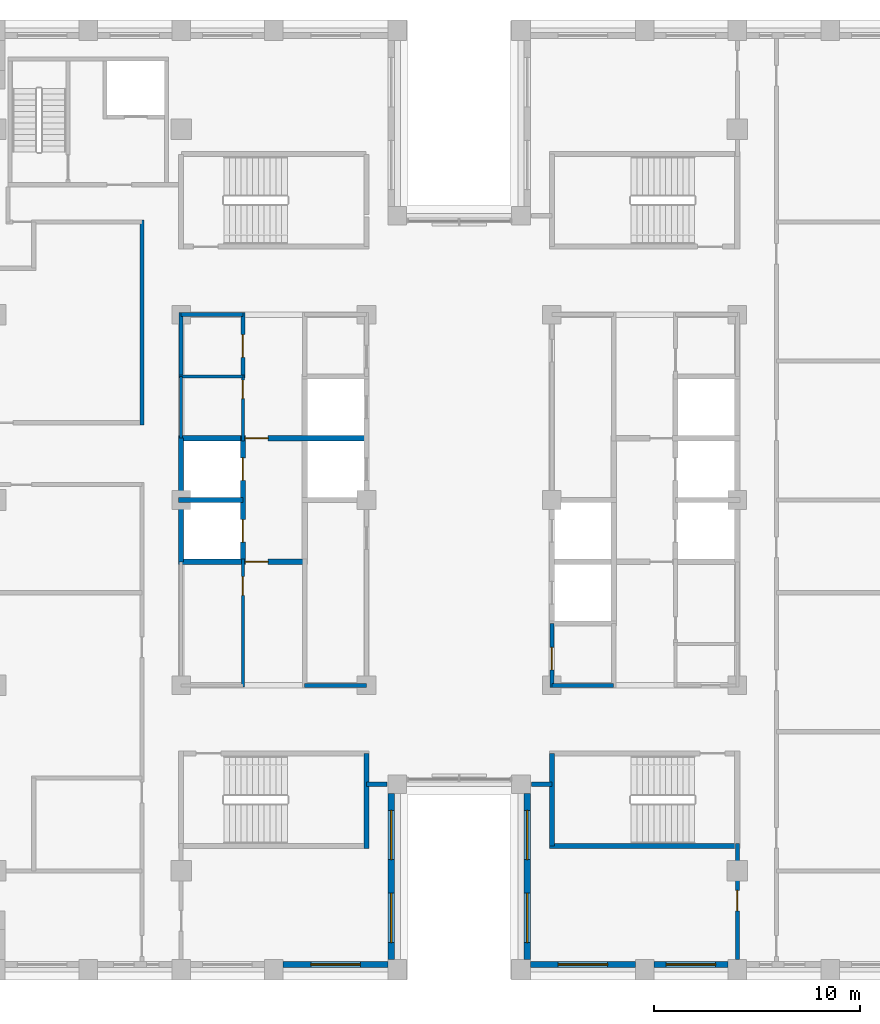
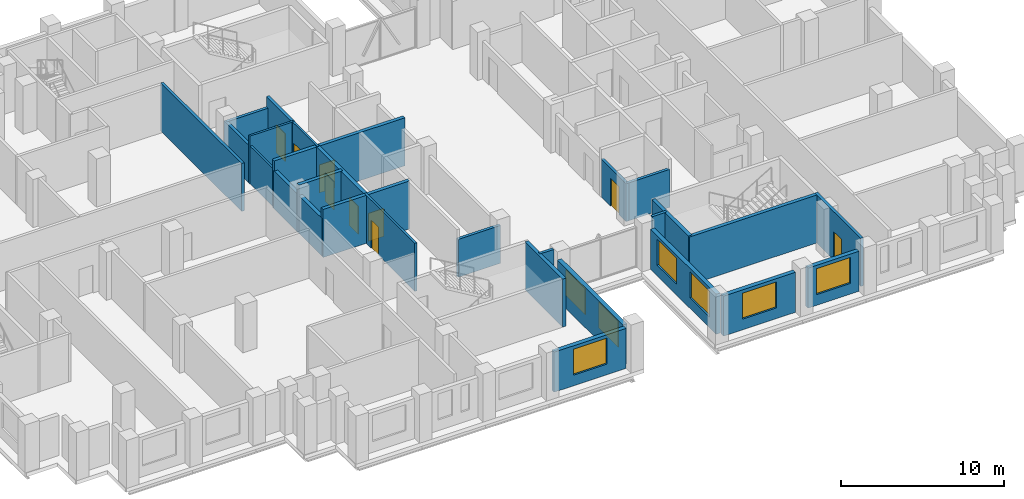
# One storey, part 7 of 15: 27 walls, 9 doors, 7 windows, 16 openings.
"""IFC4 building model written with IfcOpenShell, lengths in metres."""

from ifc_helpers import new_model, si_unit, direction, frame, frame_2d, origin, place, context, subcontext, project, spatial, rectangle, extrude, material, layer, layer_set, type_object, element, fill, save


model = new_model("IFC4")

# Units and contexts
model_context = context("Model", 3, precision=1e-05, world=origin(), true_north=direction((0.0, 1.0)))
body_context = subcontext(model_context, "Body", "Model", "MODEL_VIEW")
ifc_project = project(units=[si_unit("LENGTHUNIT", "METRE"), si_unit("AREAUNIT", "SQUARE_METRE"), si_unit("VOLUMEUNIT", "CUBIC_METRE"), si_unit("PLANEANGLEUNIT", "RADIAN"), si_unit("MASSUNIT", "GRAM", prefix="KILO")], contexts=[model_context])

# Site, building, storey
site_placement = place(None, origin())
site = spatial("IfcSite", under=ifc_project, at=site_placement, CompositionType="ELEMENT")
building_placement = place(site_placement, origin())
building = spatial("IfcBuilding", under=site, at=building_placement, Name="Corbelhall Arena Tower", CompositionType="ELEMENT")
storey_placement = place(building_placement, frame((0.0, 0.0, 232.0)))
storey = spatial("IfcBuildingStorey", under=building, at=storey_placement, Name="L49", CompositionType="ELEMENT", Elevation=232.0)

# Wall, opening, window
ifc_material_1 = material(Name="Precast concrete C40/50 with granite facing", Category="masonry")
ifc_layer_1 = layer(ifc_material_1, 0.300048828125)
ifc_layer_set_1 = layer_set([ifc_layer_1], Name="EV-IW1 Infill panel 300")
wall_type_1 = type_object("IfcWallType", Name="EV-IW1 Infill panel 300", PredefinedType="SOLIDWALL", material=ifc_layer_set_1)
wall_1_placement = place(storey_placement, frame((-8.550048828125, -22.550048828125, 0.0), z_axis=(0.0, 0.0, 1.0), x_axis=(1.0, 0.0, 0.0)))
wall_1 = element("IfcWall", 1, at=wall_1_placement, inside=storey, type_object=wall_type_1, Name="Infill panel IW1", PredefinedType="SOLIDWALL", context=body_context, shape_type="SweptSolid", body=[
    extrude(rectangle(XDim=5.10009765625, YDim=0.300048828125, at=frame_2d((2.550048828125, 0.0))), origin(), (0.0, 0.0, 1.0), 2.99951171875),
])
opening_1_placement = place(wall_1_placement, frame((1.35009765625, 0.0, 0.800048828125)))
opening_1 = element("IfcOpeningElement", 2, at=opening_1_placement, cuts=wall_1, Name="Opening WN1", PredefinedType="OPENING", context=body_context, shape_type="SweptSolid", body=[
    extrude(rectangle(XDim=2.39990234375, YDim=1.949951171875, at=frame_2d((1.199951171875, 0.97509765625))), frame((0.0, 0.14990234375, 0.0), z_axis=(0.0, -1.0, 0.0), x_axis=(1.0, 0.0, 0.0)), (0.0, 0.0, 1.0), 0.300048828125),
])
ifc_material_2 = material(Name="Aluminium black anodised", Category="aluminium")
window_type = type_object("IfcWindowType", Name="EV-WN1 Office window", PartitioningType="SINGLE_PANEL", PredefinedType="WINDOW", material=ifc_material_2)
window_1_placement = place(opening_1_placement, origin())
window_1 = element("IfcWindow", 3, at=window_1_placement, inside=storey, type_object=window_type, Name="Window WN1", OverallHeight=1.949951171875, OverallWidth=2.39990234375, PartitioningType="SINGLE_PANEL", PredefinedType="WINDOW", context=body_context, shape_type="SweptSolid", body=[
    extrude(rectangle(XDim=2.39990234375, YDim=1.949951171875, at=frame_2d((1.199951171875, 0.97509765625))), frame((0.0, 0.030029296875, 0.0), z_axis=(0.0, -1.0, 0.0), x_axis=(1.0, 0.0, 0.0)), (0.0, 0.0, 1.0), 0.06005859375),
])
fill(opening_1, window_1)

# Wall, openings, windows
wall_2_placement = place(storey_placement, frame((-3.300048828125, -22.300048828125, 0.0), z_axis=(0.0, 0.0, 1.0), x_axis=(0.0, 1.0, 0.0)))
wall_2 = element("IfcWall", 4, at=wall_2_placement, inside=storey, type_object=wall_type_1, Name="Infill panel IW1", PredefinedType="SOLIDWALL", context=body_context, shape_type="SweptSolid", body=[
    extrude(rectangle(XDim=8.050048828125, YDim=0.300048828125, at=frame_2d((4.02490234375, 0.0))), origin(), (0.0, 0.0, 1.0), 2.99951171875),
])
opening_2_placement = place(wall_2_placement, frame((0.8125, 0.0, 0.800048828125)))
opening_2 = element("IfcOpeningElement", 5, at=opening_2_placement, cuts=wall_2, Name="Opening WN1", PredefinedType="OPENING", context=body_context, shape_type="SweptSolid", body=[
    extrude(rectangle(XDim=2.39990234375, YDim=1.949951171875, at=frame_2d((1.199951171875, 0.97509765625))), frame((0.0, 0.14990234375, 0.0), z_axis=(0.0, -1.0, 0.0), x_axis=(1.0, 0.0, 0.0)), (0.0, 0.0, 1.0), 0.300048828125),
])
opening_3_placement = place(wall_2_placement, frame((4.83740234375, 0.0, 0.800048828125)))
opening_3 = element("IfcOpeningElement", 6, at=opening_3_placement, cuts=wall_2, Name="Opening WN1", PredefinedType="OPENING", context=body_context, shape_type="SweptSolid", body=[
    extrude(rectangle(XDim=2.39990234375, YDim=1.949951171875, at=frame_2d((1.199951171875, 0.97509765625))), frame((0.0, 0.14990234375, 0.0), z_axis=(0.0, -1.0, 0.0), x_axis=(1.0, 0.0, 0.0)), (0.0, 0.0, 1.0), 0.300048828125),
])
window_2_placement = place(opening_2_placement, origin())
window_2 = element("IfcWindow", 7, at=window_2_placement, inside=storey, type_object=window_type, Name="Window WN1", OverallHeight=1.949951171875, OverallWidth=2.39990234375, PartitioningType="SINGLE_PANEL", PredefinedType="WINDOW", context=body_context, shape_type="SweptSolid", body=[
    extrude(rectangle(XDim=2.39990234375, YDim=1.949951171875, at=frame_2d((1.199951171875, 0.97509765625))), frame((0.0, 0.030029296875, 0.0), z_axis=(0.0, -1.0, 0.0), x_axis=(1.0, 0.0, 0.0)), (0.0, 0.0, 1.0), 0.06005859375),
])
fill(opening_2, window_2)
window_3_placement = place(opening_3_placement, origin())
window_3 = element("IfcWindow", 8, at=window_3_placement, inside=storey, type_object=window_type, Name="Window WN1", OverallHeight=1.949951171875, OverallWidth=2.39990234375, PartitioningType="SINGLE_PANEL", PredefinedType="WINDOW", context=body_context, shape_type="SweptSolid", body=[
    extrude(rectangle(XDim=2.39990234375, YDim=1.949951171875, at=frame_2d((1.199951171875, 0.97509765625))), frame((0.0, 0.030029296875, 0.0), z_axis=(0.0, -1.0, 0.0), x_axis=(1.0, 0.0, 0.0)), (0.0, 0.0, 1.0), 0.06005859375),
])
fill(opening_3, window_3)

wall_3_placement = place(storey_placement, frame((3.300048828125, -14.25, 0.0), z_axis=(0.0, 0.0, 1.0), x_axis=(0.0, -1.0, 0.0)))
wall_3 = element("IfcWall", 9, at=wall_3_placement, inside=storey, type_object=wall_type_1, Name="Infill panel IW1", PredefinedType="SOLIDWALL", context=body_context, shape_type="SweptSolid", body=[
    extrude(rectangle(XDim=8.050048828125, YDim=0.300048828125, at=frame_2d((4.02490234375, 0.0))), origin(), (0.0, 0.0, 1.0), 2.99951171875),
])
opening_4_placement = place(wall_3_placement, frame((0.8125, 0.0, 0.800048828125)))
opening_4 = element("IfcOpeningElement", 10, at=opening_4_placement, cuts=wall_3, Name="Opening WN1", PredefinedType="OPENING", context=body_context, shape_type="SweptSolid", body=[
    extrude(rectangle(XDim=2.39990234375, YDim=1.949951171875, at=frame_2d((1.199951171875, 0.97509765625))), frame((0.0, 0.14990234375, 0.0), z_axis=(0.0, -1.0, 0.0), x_axis=(1.0, 0.0, 0.0)), (0.0, 0.0, 1.0), 0.300048828125),
])
opening_5_placement = place(wall_3_placement, frame((4.83740234375, 0.0, 0.800048828125)))
opening_5 = element("IfcOpeningElement", 11, at=opening_5_placement, cuts=wall_3, Name="Opening WN1", PredefinedType="OPENING", context=body_context, shape_type="SweptSolid", body=[
    extrude(rectangle(XDim=2.39990234375, YDim=1.949951171875, at=frame_2d((1.199951171875, 0.97509765625))), frame((0.0, 0.14990234375, 0.0), z_axis=(0.0, -1.0, 0.0), x_axis=(1.0, 0.0, 0.0)), (0.0, 0.0, 1.0), 0.300048828125),
])
window_4_placement = place(opening_4_placement, origin())
window_4 = element("IfcWindow", 12, at=window_4_placement, inside=storey, type_object=window_type, Name="Window WN1", OverallHeight=1.949951171875, OverallWidth=2.39990234375, PartitioningType="SINGLE_PANEL", PredefinedType="WINDOW", context=body_context, shape_type="SweptSolid", body=[
    extrude(rectangle(XDim=2.39990234375, YDim=1.949951171875, at=frame_2d((1.199951171875, 0.97509765625))), frame((0.0, 0.030029296875, 0.0), z_axis=(0.0, -1.0, 0.0), x_axis=(1.0, 0.0, 0.0)), (0.0, 0.0, 1.0), 0.06005859375),
])
fill(opening_4, window_4)
window_5_placement = place(opening_5_placement, origin())
window_5 = element("IfcWindow", 13, at=window_5_placement, inside=storey, type_object=window_type, Name="Window WN1", OverallHeight=1.949951171875, OverallWidth=2.39990234375, PartitioningType="SINGLE_PANEL", PredefinedType="WINDOW", context=body_context, shape_type="SweptSolid", body=[
    extrude(rectangle(XDim=2.39990234375, YDim=1.949951171875, at=frame_2d((1.199951171875, 0.97509765625))), frame((0.0, 0.030029296875, 0.0), z_axis=(0.0, -1.0, 0.0), x_axis=(1.0, 0.0, 0.0)), (0.0, 0.0, 1.0), 0.06005859375),
])
fill(opening_5, window_5)

# Wall, opening, window
wall_4_placement = place(storey_placement, frame((3.449951171875, -22.550048828125, 0.0), z_axis=(0.0, 0.0, 1.0), x_axis=(1.0, 0.0, 0.0)))
wall_4 = element("IfcWall", 14, at=wall_4_placement, inside=storey, type_object=wall_type_1, Name="Infill panel IW1", PredefinedType="SOLIDWALL", context=body_context, shape_type="SweptSolid", body=[
    extrude(rectangle(XDim=5.10009765625, YDim=0.300048828125, at=frame_2d((2.550048828125, 0.0))), origin(), (0.0, 0.0, 1.0), 2.99951171875),
])
opening_6_placement = place(wall_4_placement, frame((1.35009765625, 0.0, 0.800048828125)))
opening_6 = element("IfcOpeningElement", 15, at=opening_6_placement, cuts=wall_4, Name="Opening WN1", PredefinedType="OPENING", context=body_context, shape_type="SweptSolid", body=[
    extrude(rectangle(XDim=2.39990234375, YDim=1.949951171875, at=frame_2d((1.199951171875, 0.97509765625))), frame((0.0, 0.14990234375, 0.0), z_axis=(0.0, -1.0, 0.0), x_axis=(1.0, 0.0, 0.0)), (0.0, 0.0, 1.0), 0.300048828125),
])
window_6_placement = place(opening_6_placement, origin())
window_6 = element("IfcWindow", 16, at=window_6_placement, inside=storey, type_object=window_type, Name="Window WN1", OverallHeight=1.949951171875, OverallWidth=2.39990234375, PartitioningType="SINGLE_PANEL", PredefinedType="WINDOW", context=body_context, shape_type="SweptSolid", body=[
    extrude(rectangle(XDim=2.39990234375, YDim=1.949951171875, at=frame_2d((1.199951171875, 0.97509765625))), frame((0.0, 0.030029296875, 0.0), z_axis=(0.0, -1.0, 0.0), x_axis=(1.0, 0.0, 0.0)), (0.0, 0.0, 1.0), 0.06005859375),
])
fill(opening_6, window_6)

wall_5_placement = place(storey_placement, frame((9.449951171875, -22.550048828125, 0.0), z_axis=(0.0, 0.0, 1.0), x_axis=(1.0, 0.0, 0.0)))
wall_5 = element("IfcWall", 17, at=wall_5_placement, inside=storey, type_object=wall_type_1, Name="Infill panel IW1", PredefinedType="SOLIDWALL", context=body_context, shape_type="SweptSolid", body=[
    extrude(rectangle(XDim=3.60009765625, YDim=0.300048828125, at=frame_2d((1.800048828125, 0.0))), origin(), (0.0, 0.0, 1.0), 2.99951171875),
])
opening_7_placement = place(wall_5_placement, frame((0.60009765625, 0.0, 0.800048828125)))
opening_7 = element("IfcOpeningElement", 18, at=opening_7_placement, cuts=wall_5, Name="Opening WN1", PredefinedType="OPENING", context=body_context, shape_type="SweptSolid", body=[
    extrude(rectangle(XDim=2.39990234375, YDim=1.949951171875, at=frame_2d((1.199951171875, 0.97509765625))), frame((0.0, 0.14990234375, 0.0), z_axis=(0.0, -1.0, 0.0), x_axis=(1.0, 0.0, 0.0)), (0.0, 0.0, 1.0), 0.300048828125),
])
window_7_placement = place(opening_7_placement, origin())
window_7 = element("IfcWindow", 19, at=window_7_placement, inside=storey, type_object=window_type, Name="Window WN1", OverallHeight=1.949951171875, OverallWidth=2.39990234375, PartitioningType="SINGLE_PANEL", PredefinedType="WINDOW", context=body_context, shape_type="SweptSolid", body=[
    extrude(rectangle(XDim=2.39990234375, YDim=1.949951171875, at=frame_2d((1.199951171875, 0.97509765625))), frame((0.0, 0.030029296875, 0.0), z_axis=(0.0, -1.0, 0.0), x_axis=(1.0, 0.0, 0.0)), (0.0, 0.0, 1.0), 0.06005859375),
])
fill(opening_7, window_7)

# Walls
ifc_material_3 = material(Name="Gypsum board on steel stud, acoustic", Category="steel")
ifc_layer_2 = layer(ifc_material_3, 0.199951171875)
ifc_layer_set_2 = layer_set([ifc_layer_2], Name="IN-W-DM200")
wall_type_2 = type_object("IfcWallType", Name="IN-W-DM200", PredefinedType="PARTITIONING", material=ifc_layer_set_2)
wall_6_placement = place(storey_placement, frame((-15.39990234375, 3.64990234375, 0.0), z_axis=(0.0, 0.0, 1.0), x_axis=(0.0, 1.0, 0.0)))
element("IfcWall", 20, at=wall_6_placement, inside=storey, type_object=wall_type_2, Name="Partition 019", PredefinedType="PARTITIONING", context=body_context, shape_type="SweptSolid", body=[
    extrude(rectangle(XDim=9.9501953125, YDim=0.199951171875, at=frame_2d((4.97509765625, 0.0))), origin(), (0.0, 0.0, 1.0), 3.599609375),
])
for number, where, z_axis, x_axis, name in (
    (21, (-3.5, -13.800048828125, 0.0), (0.0, 0.0, 1.0), (-1.0, 0.0, 0.0), "Partition 021"),
    (22, (4.5, -13.800048828125, 0.0), (0.0, 0.0, 1.0), (-1.0, 0.0, 0.0), "Partition 023"),
):
    element("IfcWall", number, at=place(storey_placement, frame(where, z_axis=z_axis, x_axis=x_axis)), inside=storey, type_object=wall_type_2, Name=name, PredefinedType="PARTITIONING", context=body_context, shape_type="SweptSolid", body=[
        extrude(rectangle(XDim=1.0, YDim=0.199951171875, at=frame_2d((0.5, 0.0))), origin(), (0.0, 0.0, 1.0), 3.599609375),
    ])

# Wall, opening, door
wall_7_placement = place(storey_placement, frame((13.5, -22.300048828125, 0.0), z_axis=(0.0, 0.0, 1.0), x_axis=(0.0, 1.0, 0.0)))
wall_7 = element("IfcWall", 23, at=wall_7_placement, inside=storey, type_object=wall_type_2, Name="Partition 024", PredefinedType="PARTITIONING", context=body_context, shape_type="SweptSolid", body=[
    extrude(rectangle(XDim=5.625, YDim=0.199951171875, at=frame_2d((2.8125, 0.0))), origin(), (0.0, 0.0, 1.0), 3.599609375),
])
opening_8_placement = place(wall_7_placement, frame((2.35009765625, 0.0, 0.0)))
opening_8 = element("IfcOpeningElement", 24, at=opening_8_placement, cuts=wall_7, Name="Opening 15023", PredefinedType="OPENING", context=body_context, shape_type="SweptSolid", body=[
    extrude(rectangle(XDim=1.0, YDim=2.10009765625, at=frame_2d((0.5, 1.050048828125))), frame((0.0, 0.10009765625, 0.0), z_axis=(0.0, -1.0, 0.0), x_axis=(1.0, 0.0, 0.0)), (0.0, 0.0, 1.0), 0.199951171875),
])
ifc_material_4 = material(Name="Steel door set", Category="steel")
door_type_1 = type_object("IfcDoorType", Name="IN-D-SW100", OperationType="NOTDEFINED", PredefinedType="DOOR", material=ifc_material_4)
door_1_placement = place(opening_8_placement, origin())
door_1 = element("IfcDoor", 25, at=door_1_placement, inside=storey, type_object=door_type_1, Name="Door 023", OperationType="SINGLE_SWING_RIGHT", OverallHeight=2.10009765625, OverallWidth=1.0, PredefinedType="DOOR", context=body_context, shape_type="SweptSolid", body=[
    extrude(rectangle(XDim=1.0, YDim=2.10009765625, at=frame_2d((0.5, 1.050048828125))), frame((0.0, 0.02490234375, 0.0), z_axis=(0.0, -1.0, 0.0), x_axis=(1.0, 0.0, 0.0)), (0.0, 0.0, 1.0), 0.050048828125),
])
fill(opening_8, door_1)

ifc_material_5 = material(Name="Concrete block wall", Category="concrete")
ifc_layer_3 = layer(ifc_material_5, 0.199951171875)
ifc_layer_set_3 = layer_set([ifc_layer_3], Name="IN-W-RS200")
wall_type_3 = type_object("IfcWallType", Name="IN-W-RS200", PredefinedType="SOLIDWALL", material=ifc_layer_set_3)
wall_8_placement = place(storey_placement, frame((-10.5, 5.925048828125, 0.0), z_axis=(0.0, 0.0, 1.0), x_axis=(0.0, 1.0, 0.0)))
wall_8 = element("IfcWall", 26, at=wall_8_placement, inside=storey, type_object=wall_type_3, Name="Partition 036", PredefinedType="SOLIDWALL", context=body_context, shape_type="SweptSolid", body=[
    extrude(rectangle(XDim=3.175048828125, YDim=0.199951171875, at=frame_2d((1.58740234375, 0.0))), origin(), (0.0, 0.0, 1.0), 3.599609375),
])
opening_9_placement = place(wall_8_placement, frame((1.0, 0.0, 0.0)))
opening_9 = element("IfcOpeningElement", 27, at=opening_9_placement, cuts=wall_8, Name="Opening 15007", PredefinedType="OPENING", context=body_context, shape_type="SweptSolid", body=[
    extrude(rectangle(XDim=1.10009765625, YDim=2.10009765625, at=frame_2d((0.550048828125, 1.050048828125))), frame((0.0, 0.10009765625, 0.0), z_axis=(0.0, -1.0, 0.0), x_axis=(1.0, 0.0, 0.0)), (0.0, 0.0, 1.0), 0.199951171875),
])
door_type_2 = type_object("IfcDoorType", Name="IN-D-FD110", OperationType="NOTDEFINED", PredefinedType="DOOR", material=ifc_material_4)
door_2_placement = place(opening_9_placement, origin())
door_2 = element("IfcDoor", 28, at=door_2_placement, inside=storey, type_object=door_type_2, Name="Door 007", OperationType="SINGLE_SWING_RIGHT", OverallHeight=2.10009765625, OverallWidth=1.10009765625, PredefinedType="DOOR", context=body_context, shape_type="SweptSolid", body=[
    extrude(rectangle(XDim=1.10009765625, YDim=2.10009765625, at=frame_2d((0.550048828125, 1.050048828125))), frame((0.0, 0.02490234375, 0.0), z_axis=(0.0, -1.0, 0.0), x_axis=(1.0, 0.0, 0.0)), (0.0, 0.0, 1.0), 0.050048828125),
])
fill(opening_9, door_2)

# Walls
ifc_layer_4 = layer(ifc_material_5, 0.199951171875)
ifc_layer_set_4 = layer_set([ifc_layer_4], Name="IN-W-RS200 under beam 762 mm")
wall_type_4 = type_object("IfcWallType", Name="IN-W-RS200 under beam 762 mm", PredefinedType="SOLIDWALL", material=ifc_layer_set_4)
wall_9_placement = place(storey_placement, frame((-13.5, 6.0, 0.0), z_axis=(0.0, 0.0, 1.0), x_axis=(0.0, 1.0, 0.0)))
element("IfcWall", 29, at=wall_9_placement, inside=storey, type_object=wall_type_4, Name="Partition 034", PredefinedType="SOLIDWALL", context=body_context, shape_type="SweptSolid", body=[
    extrude(rectangle(XDim=3.10009765625, YDim=0.199951171875, at=frame_2d((1.550048828125, 0.0))), origin(), (0.0, 0.0, 1.0), 2.837646484375),
])
for number, where, z_axis, x_axis, name in (
    (30, (-13.5, 9.0, 0.0), (0.0, 0.0, 1.0), (1.0, 0.0, 0.0), "Partition 035"),
    (31, (-4.5, -9.0, 0.0), (0.0, 0.0, 1.0), (-1.0, 0.0, 0.0), "Partition 040"),
):
    element("IfcWall", number, at=place(storey_placement, frame(where, z_axis=z_axis, x_axis=x_axis)), inside=storey, type_object=wall_type_4, Name=name, PredefinedType="SOLIDWALL", context=body_context, shape_type="SweptSolid", body=[
        extrude(rectangle(XDim=3.0, YDim=0.199951171875, at=frame_2d((1.5, 0.0))), origin(), (0.0, 0.0, 1.0), 2.837646484375),
    ])

# Wall, opening, door
wall_10_placement = place(storey_placement, frame((4.5, -9.10009765625, 0.0), z_axis=(0.0, 0.0, 1.0), x_axis=(0.0, 1.0, 0.0)))
wall_10 = element("IfcWall", 32, at=wall_10_placement, inside=storey, type_object=wall_type_4, Name="Partition 043", PredefinedType="SOLIDWALL", context=body_context, shape_type="SweptSolid", body=[
    extrude(rectangle(XDim=3.10009765625, YDim=0.199951171875, at=frame_2d((1.550048828125, 0.0))), origin(), (0.0, 0.0, 1.0), 2.837646484375),
])
opening_10_placement = place(wall_10_placement, frame((0.85009765625, 0.0, 0.0)))
opening_10 = element("IfcOpeningElement", 33, at=opening_10_placement, cuts=wall_10, Name="Opening 15008", PredefinedType="OPENING", context=body_context, shape_type="SweptSolid", body=[
    extrude(rectangle(XDim=1.10009765625, YDim=2.10009765625, at=frame_2d((0.550048828125, 1.050048828125))), frame((0.0, 0.10009765625, 0.0), z_axis=(0.0, -1.0, 0.0), x_axis=(1.0, 0.0, 0.0)), (0.0, 0.0, 1.0), 0.199951171875),
])
door_3_placement = place(opening_10_placement, origin())
door_3 = element("IfcDoor", 34, at=door_3_placement, inside=storey, type_object=door_type_2, Name="Door 008", OperationType="SINGLE_SWING_LEFT", OverallHeight=2.10009765625, OverallWidth=1.10009765625, PredefinedType="DOOR", context=body_context, shape_type="SweptSolid", body=[
    extrude(rectangle(XDim=1.10009765625, YDim=2.10009765625, at=frame_2d((0.550048828125, 1.050048828125))), frame((0.0, 0.02490234375, 0.0), z_axis=(0.0, -1.0, 0.0), x_axis=(1.0, 0.0, 0.0)), (0.0, 0.0, 1.0), 0.050048828125),
])
fill(opening_10, door_3)

# Walls
wall_11_placement = place(storey_placement, frame((7.5, -9.0, 0.0), z_axis=(0.0, 0.0, 1.0), x_axis=(-1.0, 0.0, 0.0)))
element("IfcWall", 35, at=wall_11_placement, inside=storey, type_object=wall_type_4, Name="Partition 046", PredefinedType="SOLIDWALL", context=body_context, shape_type="SweptSolid", body=[
    extrude(rectangle(XDim=3.0, YDim=0.199951171875, at=frame_2d((1.5, 0.0))), origin(), (0.0, 0.0, 1.0), 2.837646484375),
])
ifc_material_6 = material(Name="Concrete C40/50", Category="concrete")
ifc_layer_5 = layer(ifc_material_6, 0.25)
ifc_layer_set_5 = layer_set([ifc_layer_5], Name="IN-W-SH250")
wall_type_5 = type_object("IfcWallType", Name="IN-W-SH250", PredefinedType="SOLIDWALL", material=ifc_layer_set_5)
wall_12_placement = place(storey_placement, frame((-13.625, 0.0, 0.0), z_axis=(0.0, 0.0, 1.0), x_axis=(1.0, 0.0, 0.0)))
element("IfcWall", 36, at=wall_12_placement, inside=storey, type_object=wall_type_5, Name="Shaft wall 054", PredefinedType="SOLIDWALL", context=body_context, shape_type="SweptSolid", body=[
    extrude(rectangle(XDim=3.125, YDim=0.25, at=frame_2d((1.5625, 0.0))), origin(), (0.0, 0.0, 1.0), 3.599609375),
])

# Wall, opening, door
wall_13_placement = place(storey_placement, frame((-13.625, 3.0, 0.0), z_axis=(0.0, 0.0, 1.0), x_axis=(1.0, 0.0, 0.0)))
wall_13 = element("IfcWall", 37, at=wall_13_placement, inside=storey, type_object=wall_type_5, Name="Shaft wall 055", PredefinedType="SOLIDWALL", context=body_context, shape_type="SweptSolid", body=[
    extrude(rectangle(XDim=9.25, YDim=0.25, at=frame_2d((4.625, 0.0))), origin(), (0.0, 0.0, 1.0), 3.599609375),
])
opening_11_placement = place(wall_13_placement, frame((3.25, 0.0, 0.0)))
opening_11 = element("IfcOpeningElement", 38, at=opening_11_placement, cuts=wall_13, Name="Opening 15004", PredefinedType="OPENING", context=body_context, shape_type="SweptSolid", body=[
    extrude(rectangle(XDim=1.10009765625, YDim=2.10009765625, at=frame_2d((0.550048828125, 1.050048828125))), frame((0.0, 0.125, 0.0), z_axis=(0.0, -1.0, 0.0), x_axis=(1.0, 0.0, 0.0)), (0.0, 0.0, 1.0), 0.25),
])
door_4_placement = place(opening_11_placement, origin())
door_4 = element("IfcDoor", 39, at=door_4_placement, inside=storey, type_object=door_type_2, Name="Door 004", OperationType="SINGLE_SWING_LEFT", OverallHeight=2.10009765625, OverallWidth=1.10009765625, PredefinedType="DOOR", context=body_context, shape_type="SweptSolid", body=[
    extrude(rectangle(XDim=1.10009765625, YDim=2.10009765625, at=frame_2d((0.550048828125, 1.050048828125))), frame((0.0, 0.02490234375, 0.0), z_axis=(0.0, -1.0, 0.0), x_axis=(1.0, 0.0, 0.0)), (0.0, 0.0, 1.0), 0.050048828125),
])
fill(opening_11, door_4)

wall_14_placement = place(storey_placement, frame((-13.625, -3.0, 0.0), z_axis=(0.0, 0.0, 1.0), x_axis=(1.0, 0.0, 0.0)))
wall_14 = element("IfcWall", 40, at=wall_14_placement, inside=storey, type_object=wall_type_5, Name="Shaft wall 057", PredefinedType="SOLIDWALL", context=body_context, shape_type="SweptSolid", body=[
    extrude(rectangle(XDim=6.125, YDim=0.25, at=frame_2d((3.0625, 0.0))), origin(), (0.0, 0.0, 1.0), 3.599609375),
])
opening_12_placement = place(wall_14_placement, frame((3.25, 0.0, 0.0)))
opening_12 = element("IfcOpeningElement", 41, at=opening_12_placement, cuts=wall_14, Name="Opening 15003", PredefinedType="OPENING", context=body_context, shape_type="SweptSolid", body=[
    extrude(rectangle(XDim=1.10009765625, YDim=2.10009765625, at=frame_2d((0.550048828125, 1.050048828125))), frame((0.0, 0.125, 0.0), z_axis=(0.0, -1.0, 0.0), x_axis=(1.0, 0.0, 0.0)), (0.0, 0.0, 1.0), 0.25),
])
door_5_placement = place(opening_12_placement, origin())
door_5 = element("IfcDoor", 42, at=door_5_placement, inside=storey, type_object=door_type_2, Name="Door 003", OperationType="SINGLE_SWING_RIGHT", OverallHeight=2.10009765625, OverallWidth=1.10009765625, PredefinedType="DOOR", context=body_context, shape_type="SweptSolid", body=[
    extrude(rectangle(XDim=1.10009765625, YDim=2.10009765625, at=frame_2d((0.550048828125, 1.050048828125))), frame((0.0, 0.02490234375, 0.0), z_axis=(0.0, -1.0, 0.0), x_axis=(1.0, 0.0, 0.0)), (0.0, 0.0, 1.0), 0.050048828125),
])
fill(opening_12, door_5)

# Wall, openings, doors
wall_15_placement = place(storey_placement, frame((-10.5, -3.125, 0.0), z_axis=(0.0, 0.0, 1.0), x_axis=(0.0, 1.0, 0.0)))
wall_15 = element("IfcWall", 43, at=wall_15_placement, inside=storey, type_object=wall_type_5, Name="Shaft wall 058", PredefinedType="SOLIDWALL", context=body_context, shape_type="SweptSolid", body=[
    extrude(rectangle(XDim=6.25, YDim=0.25, at=frame_2d((3.125, 0.0))), origin(), (0.0, 0.0, 1.0), 3.599609375),
])
opening_13_placement = place(wall_15_placement, frame((1.074951171875, 0.0, 0.0)))
opening_13 = element("IfcOpeningElement", 44, at=opening_13_placement, cuts=wall_15, Name="Opening LD", PredefinedType="OPENING", context=body_context, shape_type="SweptSolid", body=[
    extrude(rectangle(XDim=1.10009765625, YDim=2.10009765625, at=frame_2d((0.550048828125, 1.050048828125))), frame((0.0, 0.125, 0.0), z_axis=(0.0, -1.0, 0.0), x_axis=(1.0, 0.0, 0.0)), (0.0, 0.0, 1.0), 0.25),
])
opening_14_placement = place(wall_15_placement, frame((4.074951171875, 0.0, 0.0)))
opening_14 = element("IfcOpeningElement", 45, at=opening_14_placement, cuts=wall_15, Name="Opening LD", PredefinedType="OPENING", context=body_context, shape_type="SweptSolid", body=[
    extrude(rectangle(XDim=1.10009765625, YDim=2.10009765625, at=frame_2d((0.550048828125, 1.050048828125))), frame((0.0, 0.125, 0.0), z_axis=(0.0, -1.0, 0.0), x_axis=(1.0, 0.0, 0.0)), (0.0, 0.0, 1.0), 0.25),
])
door_type_3 = type_object("IfcDoorType", Name="IN-D-LD110", OperationType="NOTDEFINED", PredefinedType="DOOR", material=ifc_material_4)
door_6_placement = place(opening_13_placement, origin())
door_6 = element("IfcDoor", 46, at=door_6_placement, inside=storey, type_object=door_type_3, Name="Landing door W3", OperationType="SLIDING_TO_LEFT", OverallHeight=2.10009765625, OverallWidth=1.10009765625, PredefinedType="DOOR", context=body_context, shape_type="SweptSolid", body=[
    extrude(rectangle(XDim=1.10009765625, YDim=2.10009765625, at=frame_2d((0.550048828125, 1.050048828125))), frame((0.0, 0.02490234375, 0.0), z_axis=(0.0, -1.0, 0.0), x_axis=(1.0, 0.0, 0.0)), (0.0, 0.0, 1.0), 0.050048828125),
])
fill(opening_13, door_6)
door_7_placement = place(opening_14_placement, origin())
door_7 = element("IfcDoor", 47, at=door_7_placement, inside=storey, type_object=door_type_3, Name="Landing door W4", OperationType="SLIDING_TO_LEFT", OverallHeight=2.10009765625, OverallWidth=1.10009765625, PredefinedType="DOOR", context=body_context, shape_type="SweptSolid", body=[
    extrude(rectangle(XDim=1.10009765625, YDim=2.10009765625, at=frame_2d((0.550048828125, 1.050048828125))), frame((0.0, 0.02490234375, 0.0), z_axis=(0.0, -1.0, 0.0), x_axis=(1.0, 0.0, 0.0)), (0.0, 0.0, 1.0), 0.050048828125),
])
fill(opening_14, door_7)

# Walls
ifc_layer_6 = layer(ifc_material_6, 0.25)
ifc_layer_set_6 = layer_set([ifc_layer_6], Name="IN-W-SH250 under beam 762 mm")
wall_type_6 = type_object("IfcWallType", Name="IN-W-SH250 under beam 762 mm", PredefinedType="SOLIDWALL", material=ifc_layer_set_6)
wall_16_placement = place(storey_placement, frame((-13.5, -3.0, 0.0), z_axis=(0.0, 0.0, 1.0), x_axis=(0.0, 1.0, 0.0)))
element("IfcWall", 48, at=wall_16_placement, inside=storey, type_object=wall_type_6, Name="Shaft wall 056", PredefinedType="SOLIDWALL", context=body_context, shape_type="SweptSolid", body=[
    extrude(rectangle(XDim=6.0, YDim=0.25, at=frame_2d((3.0, 0.0))), origin(), (0.0, 0.0, 1.0), 2.837646484375),
])
ifc_layer_7 = layer(ifc_material_6, 0.25)
ifc_layer_set_7 = layer_set([ifc_layer_7], Name="IN-W-ST250")
wall_type_7 = type_object("IfcWallType", Name="IN-W-ST250", PredefinedType="SOLIDWALL", material=ifc_layer_set_7)
wall_17_placement = place(storey_placement, frame((-4.5, -12.300048828125, 0.0), z_axis=(0.0, 0.0, 1.0), x_axis=(0.0, -1.0, 0.0)))
element("IfcWall", 49, at=wall_17_placement, inside=storey, type_object=wall_type_7, Name="Shaft wall 084", PredefinedType="SOLIDWALL", context=body_context, shape_type="SweptSolid", body=[
    extrude(rectangle(XDim=4.625, YDim=0.25, at=frame_2d((2.3125, 0.0))), origin(), (0.0, 0.0, 1.0), 3.599609375),
])
wall_18_placement = place(storey_placement, frame((4.5, -16.800048828125, 0.0), z_axis=(0.0, 0.0, 1.0), x_axis=(0.0, 1.0, 0.0)))
element("IfcWall", 50, at=wall_18_placement, inside=storey, type_object=wall_type_7, Name="Shaft wall 090", PredefinedType="SOLIDWALL", context=body_context, shape_type="SweptSolid", body=[
    extrude(rectangle(XDim=4.5, YDim=0.25, at=frame_2d((2.25, 0.0))), origin(), (0.0, 0.0, 1.0), 3.599609375),
])
wall_19_placement = place(storey_placement, frame((13.5, -16.800048828125, 0.0), z_axis=(0.0, 0.0, 1.0), x_axis=(-1.0, 0.0, 0.0)))
element("IfcWall", 51, at=wall_19_placement, inside=storey, type_object=wall_type_7, Name="Shaft wall 093", PredefinedType="SOLIDWALL", context=body_context, shape_type="SweptSolid", body=[
    extrude(rectangle(XDim=9.125, YDim=0.25, at=frame_2d((4.5625, 0.0))), origin(), (0.0, 0.0, 1.0), 3.599609375),
])
ifc_material_7 = material(Name="Gypsum board on steel stud, moisture resistant", Category="steel")
ifc_layer_8 = layer(ifc_material_7, 0.14990234375)
ifc_layer_set_8 = layer_set([ifc_layer_8], Name="IN-W-WC150")
wall_type_8 = type_object("IfcWallType", Name="IN-W-WC150", PredefinedType="PARTITIONING", material=ifc_layer_set_8)
wall_20_placement = place(storey_placement, frame((-13.60009765625, 6.0, 0.0), z_axis=(0.0, 0.0, 1.0), x_axis=(1.0, 0.0, 0.0)))
element("IfcWall", 52, at=wall_20_placement, inside=storey, type_object=wall_type_8, Name="Partition 096", PredefinedType="PARTITIONING", context=body_context, shape_type="SweptSolid", body=[
    extrude(rectangle(XDim=3.10009765625, YDim=0.14990234375, at=frame_2d((1.550048828125, 0.0))), origin(), (0.0, 0.0, 1.0), 3.599609375),
])

# Wall, opening, door
wall_21_placement = place(storey_placement, frame((-10.5, -9.074951171875, 0.0), z_axis=(0.0, 0.0, 1.0), x_axis=(0.0, 1.0, 0.0)))
wall_21 = element("IfcWall", 53, at=wall_21_placement, inside=storey, type_object=wall_type_8, Name="Partition 099", PredefinedType="PARTITIONING", context=body_context, shape_type="SweptSolid", body=[
    extrude(rectangle(XDim=6.199951171875, YDim=0.14990234375, at=frame_2d((3.10009765625, 0.0))), origin(), (0.0, 0.0, 1.0), 3.599609375),
])
opening_15_placement = place(wall_21_placement, frame((4.449951171875, 0.0, 0.0)))
opening_15 = element("IfcOpeningElement", 54, at=opening_15_placement, cuts=wall_21, Name="Opening 15005", PredefinedType="OPENING", context=body_context, shape_type="SweptSolid", body=[
    extrude(rectangle(XDim=0.89990234375, YDim=2.10009765625, at=frame_2d((0.449951171875, 1.050048828125))), frame((0.0, 0.074951171875, 0.0), z_axis=(0.0, -1.0, 0.0), x_axis=(1.0, 0.0, 0.0)), (0.0, 0.0, 1.0), 0.14990234375),
])
ifc_material_8 = material(Name="Timber door set", Category="wood")
door_type_4 = type_object("IfcDoorType", Name="IN-D-SW90", OperationType="NOTDEFINED", PredefinedType="DOOR", material=ifc_material_8)
door_8_placement = place(opening_15_placement, origin())
door_8 = element("IfcDoor", 55, at=door_8_placement, inside=storey, type_object=door_type_4, Name="Door 005", OperationType="SINGLE_SWING_RIGHT", OverallHeight=2.10009765625, OverallWidth=0.89990234375, PredefinedType="DOOR", context=body_context, shape_type="SweptSolid", body=[
    extrude(rectangle(XDim=0.89990234375, YDim=2.10009765625, at=frame_2d((0.449951171875, 1.050048828125))), frame((0.0, 0.02490234375, 0.0), z_axis=(0.0, -1.0, 0.0), x_axis=(1.0, 0.0, 0.0)), (0.0, 0.0, 1.0), 0.050048828125),
])
fill(opening_15, door_8)

wall_22_placement = place(storey_placement, frame((-10.5, 2.875, 0.0), z_axis=(0.0, 0.0, 1.0), x_axis=(0.0, 1.0, 0.0)))
wall_22 = element("IfcWall", 56, at=wall_22_placement, inside=storey, type_object=wall_type_8, Name="Partition 101", PredefinedType="PARTITIONING", context=body_context, shape_type="SweptSolid", body=[
    extrude(rectangle(XDim=3.199951171875, YDim=0.14990234375, at=frame_2d((1.60009765625, 0.0))), origin(), (0.0, 0.0, 1.0), 3.599609375),
])
opening_16_placement = place(wall_22_placement, frame((2.050048828125, 0.0, 0.0)))
opening_16 = element("IfcOpeningElement", 57, at=opening_16_placement, cuts=wall_22, Name="Opening 15006", PredefinedType="OPENING", context=body_context, shape_type="SweptSolid", body=[
    extrude(rectangle(XDim=0.89990234375, YDim=2.10009765625, at=frame_2d((0.449951171875, 1.050048828125))), frame((0.0, 0.074951171875, 0.0), z_axis=(0.0, -1.0, 0.0), x_axis=(1.0, 0.0, 0.0)), (0.0, 0.0, 1.0), 0.14990234375),
])
door_9_placement = place(opening_16_placement, origin())
door_9 = element("IfcDoor", 58, at=door_9_placement, inside=storey, type_object=door_type_4, Name="Door 006", OperationType="SINGLE_SWING_LEFT", OverallHeight=2.10009765625, OverallWidth=0.89990234375, PredefinedType="DOOR", context=body_context, shape_type="SweptSolid", body=[
    extrude(rectangle(XDim=0.89990234375, YDim=2.10009765625, at=frame_2d((0.449951171875, 1.050048828125))), frame((0.0, 0.02490234375, 0.0), z_axis=(0.0, -1.0, 0.0), x_axis=(1.0, 0.0, 0.0)), (0.0, 0.0, 1.0), 0.050048828125),
])
fill(opening_16, door_9)

# Wall
ifc_layer_9 = layer(ifc_material_7, 0.14990234375)
ifc_layer_set_9 = layer_set([ifc_layer_9], Name="IN-W-WC150 under beam 762 mm")
wall_type_9 = type_object("IfcWallType", Name="IN-W-WC150 under beam 762 mm", PredefinedType="PARTITIONING", material=ifc_layer_set_9)
wall_23_placement = place(storey_placement, frame((-13.5, 3.0, 0.0), z_axis=(0.0, 0.0, 1.0), x_axis=(0.0, 1.0, 0.0)))
element("IfcWall", 59, at=wall_23_placement, inside=storey, type_object=wall_type_9, Name="Partition 098", PredefinedType="PARTITIONING", context=body_context, shape_type="SweptSolid", body=[
    extrude(rectangle(XDim=3.0, YDim=0.14990234375, at=frame_2d((1.5, 0.0))), origin(), (0.0, 0.0, 1.0), 2.837646484375),
])

save(model, "model.ifc")
